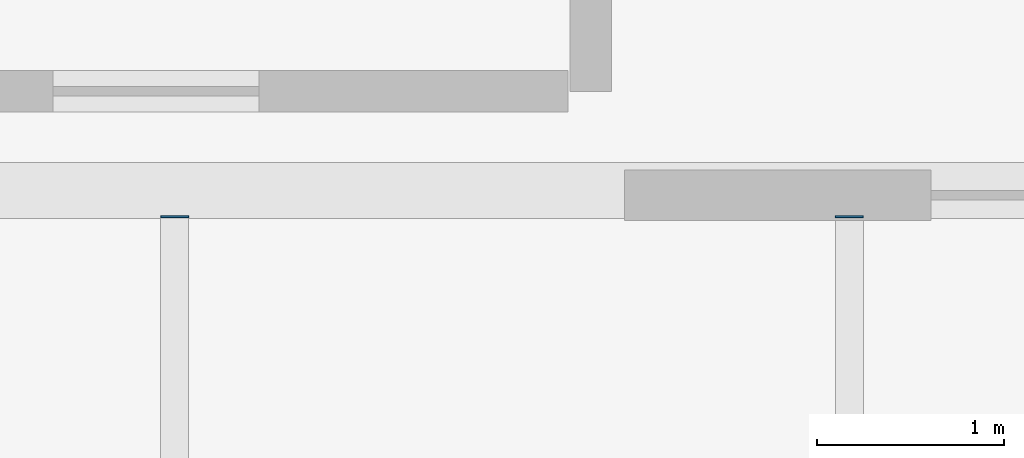
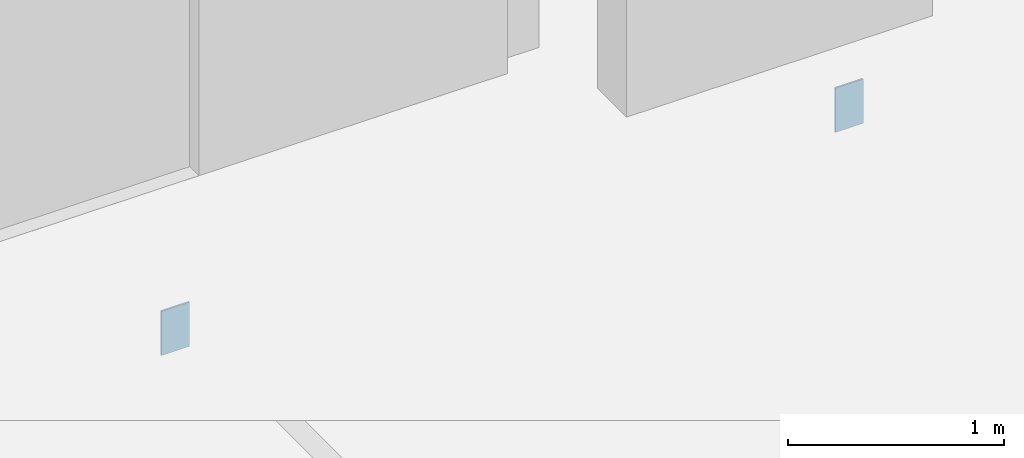
# One storey, part 76 of 100: 2 plates.
"""IFC4 building model written with IfcOpenShell, lengths in metres."""

import ifcopenshell
import ifcopenshell.guid

model = None  # the IFC model being written
_history = None  # IfcOwnerHistory: only IFC2X3 demands one
_inside = {}  # id of a spatial element -> (the spatial element, [elements in it])
_under = {}  # id of a project, library or spatial element -> (it, [spatial elements below it])
_declared = {}  # id of a project -> (the project, [libraries it declares])
_typed = {}  # id of a type object -> (the type object, [elements of that type])
_made_of = {}  # id of a material, layer set ... -> (it, [elements and type objects made of it])


def new_model(schema):
    """Start an empty IFC model of exactly this schema.

    Asked for "IFC4X3", IfcOpenShell would pick the latest addendum, in which some entities
    have other attributes; the version numbers below select the first issue.
    IFC2X3 requires an IfcOwnerHistory on every rooted entity: one is made here for all.
    """
    global model, _history
    if schema == "IFC4X3":
        model = ifcopenshell.file(schema_version=(4, 3, 0, 0))
    else:
        model = ifcopenshell.file(schema=schema)
    _inside.clear()
    _under.clear()
    _declared.clear()
    _typed.clear()
    _made_of.clear()
    _history = None
    if model.schema == "IFC2X3":
        org = make("IfcOrganization", Name="unknown")
        user = make(
            "IfcPersonAndOrganization",
            ThePerson=make("IfcPerson", FamilyName="unknown"),
            TheOrganization=org,
        )
        app = make(
            "IfcApplication",
            ApplicationDeveloper=org,
            Version="unknown",
            ApplicationFullName="unknown",
            ApplicationIdentifier="unknown",
        )
        _history = make(
            "IfcOwnerHistory",
            OwningUser=user,
            OwningApplication=app,
            ChangeAction="ADDED",
            CreationDate=0,
        )
    return model


def make(cls, **values):
    """One entity of the class cls with the attributes given. An attribute that is None is left unset."""
    return model.create_entity(
        cls, **{name: value for name, value in values.items() if value is not None}
    )


def rooted(cls, **values):
    """An entity with a GlobalId (a new one), such as an element, a storey or a relation."""
    return make(cls, GlobalId=ifcopenshell.guid.new(), OwnerHistory=_history, **values)


def si_unit(unit_type, name, prefix=None):
    """IfcSIUnit, for example si_unit("LENGTHUNIT", "METRE", prefix="MILLI")."""
    return make("IfcSIUnit", UnitType=unit_type, Prefix=prefix, Name=name)


def assignment(units):
    """IfcUnitAssignment: the units of a project."""
    return None if units is None else make("IfcUnitAssignment", Units=units)


def point(xyz):
    """IfcCartesianPoint."""
    return None if xyz is None else make("IfcCartesianPoint", Coordinates=xyz)


def direction(xyz):
    """IfcDirection."""
    return None if xyz is None else make("IfcDirection", DirectionRatios=xyz)


def frame(location, z_axis=None, x_axis=None):
    """IfcAxis2Placement3D, a coordinate frame: its origin and axes. An axis left out is left unset."""
    return make(
        "IfcAxis2Placement3D",
        Location=point(location),
        Axis=direction(z_axis),
        RefDirection=direction(x_axis),
    )


def frame_2d(location, x_axis=None):
    """IfcAxis2Placement2D, a coordinate frame in the plane: its origin and x axis."""
    return make(
        "IfcAxis2Placement2D", Location=point(location), RefDirection=direction(x_axis)
    )


def origin():
    """The frame at (0, 0, 0) with its axes left unset."""
    return frame((0.0, 0.0, 0.0))


def origin_2d():
    """The frame at (0, 0) in the plane with its x axis left unset."""
    return frame_2d((0.0, 0.0))


def place(relative_to, where):
    """IfcLocalPlacement: puts the frame where relative to a parent placement (None: the world)."""
    return make(
        "IfcLocalPlacement", PlacementRelTo=relative_to, RelativePlacement=where
    )


def context(
    kind, dimensions, precision=None, world=None, true_north=None, identifier=None
):
    """IfcGeometricRepresentationContext, for example the 3D "Model" context."""
    return make(
        "IfcGeometricRepresentationContext",
        ContextIdentifier=identifier,
        ContextType=kind,
        CoordinateSpaceDimension=dimensions,
        Precision=precision,
        WorldCoordinateSystem=world,
        TrueNorth=true_north,
    )


def subcontext(parent, identifier, kind, view, scale=None):
    """IfcGeometricRepresentationSubContext, for example "Body" below "Model"."""
    return make(
        "IfcGeometricRepresentationSubContext",
        ContextIdentifier=identifier,
        ContextType=kind,
        ParentContext=parent,
        TargetScale=scale,
        TargetView=view,
    )


def project(units=None, contexts=None):
    """IfcProject with its units and contexts."""
    return rooted(
        "IfcProject",
        Name="project",
        RepresentationContexts=contexts,
        UnitsInContext=assignment(units),
    )


def spatial(cls, under=None, at=None, **own):
    """A site, building, storey or space (cls), placed at a placement, below another one or the project."""
    s = rooted(cls, ObjectPlacement=at, **own)
    if under is not None:
        _under.setdefault(under.id(), (under, []))[1].append(s)
    return s


def profile(cls, at=None, kind="AREA", **sizes):
    """A parametric profile (cls). Its sizes go by their IFC names, for example OverallWidth=200.0."""
    return make(cls, ProfileType=kind, Position=at, **sizes)


def rectangle(**sizes):
    """IfcRectangleProfileDef."""
    return profile("IfcRectangleProfileDef", **sizes)


def extrude(swept, where, along, depth):
    """IfcExtrudedAreaSolid: the profile swept, set in the frame where, extruded along a direction by depth."""
    return make(
        "IfcExtrudedAreaSolid",
        SweptArea=swept,
        Position=where,
        ExtrudedDirection=direction(along),
        Depth=depth,
    )


def shape(context_of_items, identifier, shape_type, items):
    """IfcShapeRepresentation: the items that make up one representation, for example the "Body"."""
    return make(
        "IfcShapeRepresentation",
        ContextOfItems=context_of_items,
        RepresentationIdentifier=identifier,
        RepresentationType=shape_type,
        Items=items,
    )


def material(Name=None, Category=None):
    """IfcMaterial."""
    return make("IfcMaterial", Name=Name, Category=Category)


def layer(
    of_material, thickness, ventilated=None, Name=None, Category=None, Priority=None
):
    """IfcMaterialLayer: one layer of a wall or slab, of a material (None: an air gap)."""
    return make(
        "IfcMaterialLayer",
        Material=of_material,
        LayerThickness=thickness,
        IsVentilated=ventilated,
        Name=Name,
        Category=Category,
        Priority=Priority,
    )


def layer_set(layers, Name=None):
    """IfcMaterialLayerSet."""
    return make("IfcMaterialLayerSet", MaterialLayers=layers, LayerSetName=Name)


def made_of(thing, what):
    """Note that an element or type object is made of a material, layer set ...; save() writes the relation."""
    if what is not None:
        _made_of.setdefault(what.id(), (what, []))[1].append(thing)
    return thing


def type_object(cls, material=None, **own):
    """A type object (cls), such as IfcWallType, which elements share."""
    return made_of(rooted(cls, **own), material)


def element(
    cls,
    number,
    at=None,
    inside=None,
    cuts=None,
    type_object=None,
    material=None,
    context=None,
    identifier="Body",
    shape_type=None,
    held_by="IfcProductDefinitionShape",
    body=None,
    shapes=None,
    **own,
):
    """One element of the class cls, such as IfcWall. Its Tag is "e" and its number.

    at: its placement. inside: the storey or other place that contains it. cuts: it is an
    opening in that element (IfcRelVoidsElement). A single representation is given by context,
    identifier, shape_type and body (its items); several are given by shapes. held_by: the class
    of the entity that holds the representations. save() writes the other relations.
    """
    e = rooted(cls, Tag="e%d" % number, ObjectPlacement=at, **own)
    if body is not None:
        shapes = [shape(context, identifier, shape_type, body)]
    if shapes is not None:
        e.Representation = make(held_by, Representations=shapes)
    if inside is not None:
        _inside.setdefault(inside.id(), (inside, []))[1].append(e)
    if cuts is not None:
        rooted(
            "IfcRelVoidsElement", RelatingBuildingElement=cuts, RelatedOpeningElement=e
        )
    if type_object is not None:
        _typed.setdefault(type_object.id(), (type_object, []))[1].append(e)
    return made_of(e, material)


def aggregate(whole, parts):
    """IfcRelAggregates: a whole, such as a stair, and the parts it consists of."""
    return rooted("IfcRelAggregates", RelatingObject=whole, RelatedObjects=parts)


def save(model, path):
    """Write the relations noted so far, then the file.

    IfcRelAggregates (storeys below a building ...), IfcRelContainedInSpatialStructure (elements
    in a storey), IfcRelDefinesByType, IfcRelAssociatesMaterial and IfcRelDeclares: one each for
    every whole, place, type object, material and project.
    """
    for whole, parts in _under.values():
        aggregate(whole, parts)
    for where, things in _inside.values():
        rooted(
            "IfcRelContainedInSpatialStructure",
            RelatedElements=things,
            RelatingStructure=where,
        )
    for kind, things in _typed.values():
        rooted("IfcRelDefinesByType", RelatedObjects=things, RelatingType=kind)
    for what, things in _made_of.values():
        rooted("IfcRelAssociatesMaterial", RelatedObjects=things, RelatingMaterial=what)
    for by, libraries in _declared.values():
        rooted("IfcRelDeclares", RelatingContext=by, RelatedDefinitions=libraries)
    model.write(path)


model = new_model("IFC4")

# Units and contexts
model_context = context("Model", 3, precision=1e-05, world=origin(), true_north=direction((0.0, 1.0)))
body_context = subcontext(model_context, "Body", "Model", "MODEL_VIEW")
ifc_project = project(units=[si_unit("LENGTHUNIT", "METRE"), si_unit("AREAUNIT", "SQUARE_METRE"), si_unit("VOLUMEUNIT", "CUBIC_METRE"), si_unit("PLANEANGLEUNIT", "RADIAN"), si_unit("MASSUNIT", "GRAM", prefix="KILO")], contexts=[model_context])

# Site, building, storey
site_placement = place(None, origin())
site = spatial("IfcSite", under=ifc_project, at=site_placement, CompositionType="ELEMENT")
building_placement = place(site_placement, origin())
building = spatial("IfcBuilding", under=site, at=building_placement, Name="Tasgan Crest Museum", CompositionType="ELEMENT")
storey_placement = place(building_placement, frame((0.0, 0.0, 9.60009765625)))
storey = spatial("IfcBuildingStorey", under=building, at=storey_placement, Name="L02", CompositionType="ELEMENT", Elevation=9.60009765625)

# Plates
ifc_material = material(Name="Steel S355K2", Category="steel")
ifc_layer = layer(ifc_material, 0.14990234375, Name="PL-CAP-10x150x250")
ifc_layer_set = layer_set([ifc_layer], Name="Steel S355K2")
plate_type = type_object("IfcPlateType", Name="PL-CAP-10x150x250", PredefinedType="USERDEFINED", material=ifc_layer_set)
for number, where, z_axis, x_axis, name in (
    (1, (3.60009765625, 91.860107421875, -0.489990234375), (0.0, 0.0, 1.0), (0.0, 1.0, 0.0), "End plate Secondary joist L02 X=3.6 Y=82.0-92.0 end B"),
    (2, (7.199951171875, 91.860107421875, -0.489990234375), (0.0, 0.0, 1.0), (0.0, 1.0, 0.0), "End plate Secondary joist L02 X=7.2 Y=82.0-92.0 end B"),
):
    element("IfcPlate", number, at=place(storey_placement, frame(where, z_axis=z_axis, x_axis=x_axis)), inside=storey, type_object=plate_type, Name=name, ObjectType="END PLATE", PredefinedType="USERDEFINED", context=body_context, shape_type="SweptSolid", body=[
        extrude(rectangle(XDim=0.010009765625, YDim=0.14990234375, at=origin_2d()), origin(), (0.0, 0.0, 1.0), 0.25),
    ])

save(model, "model.ifc")
